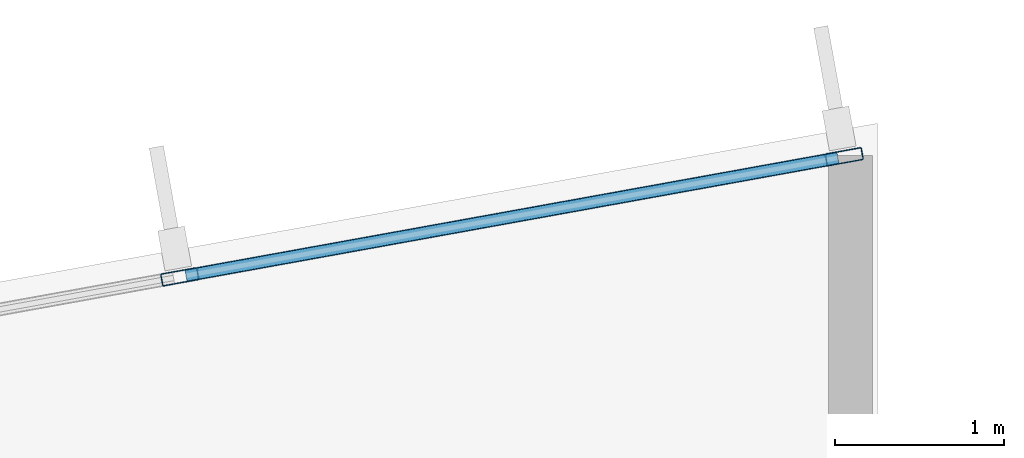
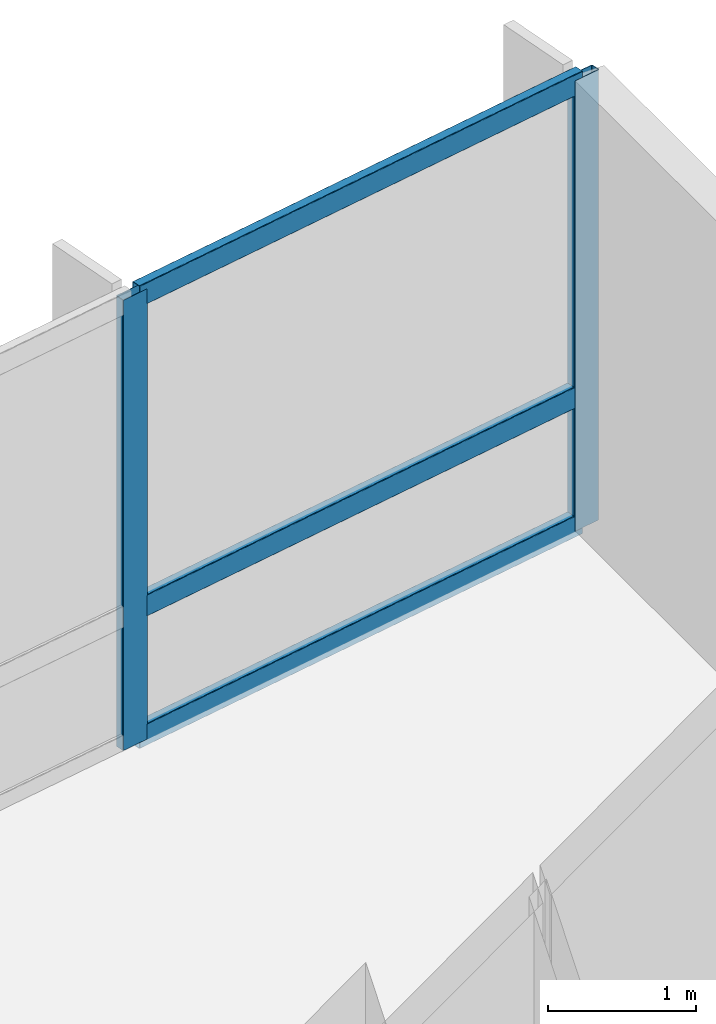
# One storey, part 10 of 20: 5 members, 1 element without a shape of its own.
"""IFC4 building model written with IfcOpenShell, lengths in metres."""

from ifc_helpers import new_model, si_unit, direction, frame, origin, origin_2d, place, context, subcontext, project, spatial, hollow_rectangle, extrude, material, layer, layer_set, material_profile, profile_set, type_object, element, aggregate, save


model = new_model("IFC4")

# Units and contexts
model_context = context("Model", 3, precision=1e-05, world=origin(), true_north=direction((0.0, 1.0)))
body_context = subcontext(model_context, "Body", "Model", "MODEL_VIEW")
ifc_project = project(units=[si_unit("LENGTHUNIT", "METRE"), si_unit("AREAUNIT", "SQUARE_METRE"), si_unit("VOLUMEUNIT", "CUBIC_METRE"), si_unit("PLANEANGLEUNIT", "RADIAN"), si_unit("MASSUNIT", "GRAM", prefix="KILO")], contexts=[model_context])

# Site, building, storey
site_placement = place(None, origin())
site = spatial("IfcSite", under=ifc_project, at=site_placement, CompositionType="ELEMENT")
building_placement = place(site_placement, origin())
building = spatial("IfcBuilding", under=site, at=building_placement, Name="Varnakote Quay Hospital", CompositionType="ELEMENT")
storey_placement = place(building_placement, frame((0.0, 0.0, 58.050048828125)))
storey = spatial("IfcBuildingStorey", under=building, at=storey_placement, Name="L14", CompositionType="ELEMENT", Elevation=58.050048828125)

# Curtain wall, members
ifc_material_1 = material(Name="Anodised aluminium 6063-T6 Bronze", Category="aluminium")
ifc_layer = layer(ifc_material_1, 0.18994140625)
ifc_layer_set = layer_set([ifc_layer], Name="Anodised aluminium 6063-T6 Bronze")
curtain_wall_type = type_object("IfcCurtainWallType", Name="CW-SYS-2", PredefinedType="NOTDEFINED", material=ifc_layer_set)
curtain_wall_placement = place(storey_placement, origin())
curtain_wall = element("IfcCurtainWall", 1, at=curtain_wall_placement, inside=storey, type_object=curtain_wall_type, Name="L14 Unitised Bronze Curtain Wall 2", PredefinedType="NOTDEFINED")
ifc_material_2 = material(Name="Anodised aluminium 6063-T6 Bronze", Category="aluminium")
ifc_material_profile_1 = material_profile(ifc_material_2, hollow_rectangle(XDim=0.074951171875, YDim=0.219970703125, WallThickness=0.00439453125, InnerFilletRadius=0.00439453125, OuterFilletRadius=0.009033203125, at=origin_2d()), Name="CW-MULL-220x75")
ifc_profile_set_1 = profile_set([ifc_material_profile_1], Name="Anodised aluminium 6063-T6 Bronze")
member_type_1 = type_object("IfcMemberType", Name="CW-MULL-220x75", PredefinedType="MULLION", material=ifc_profile_set_1)
member_1_placement = place(storey_placement, frame((55.403076171875, 34.201904296875, 0.0), z_axis=(0.0, 0.0, 1.0), x_axis=(0.177846199098, -0.984058295766, 0.0)))
member_1 = element("IfcMember", 2, at=member_1_placement, type_object=member_type_1, Name="-2-L14-2 mullion 1", PredefinedType="MULLION", context=body_context, shape_type="SweptSolid", body=[
    extrude(hollow_rectangle(XDim=0.074951171875, YDim=0.219970703125, WallThickness=0.00439453125, InnerFilletRadius=0.00439453125, OuterFilletRadius=0.009033203125, at=origin_2d()), origin(), (0.0, 0.0, 1.0), 3.7099609375),
])
member_2_placement = place(storey_placement, frame((51.477294921875, 33.492431640625, 0.0), z_axis=(0.0, 0.0, 1.0), x_axis=(0.177846199098, -0.984058295766, 0.0)))
member_2 = element("IfcMember", 3, at=member_2_placement, type_object=member_type_1, Name="-2-L14-2 mullion 2", PredefinedType="MULLION", context=body_context, shape_type="SweptSolid", body=[
    extrude(hollow_rectangle(XDim=0.074951171875, YDim=0.219970703125, WallThickness=0.00439453125, InnerFilletRadius=0.00439453125, OuterFilletRadius=0.009033203125, at=origin_2d()), origin(), (0.0, 0.0, 1.0), 3.7099609375),
])
ifc_material_3 = material(Name="Anodised aluminium 6063-T6 Bronze", Category="aluminium")
ifc_material_profile_2 = material_profile(ifc_material_3, hollow_rectangle(XDim=0.074951171875, YDim=0.179931640625, WallThickness=0.004150390625, InnerFilletRadius=0.004150390625, OuterFilletRadius=0.00830078125, at=origin_2d()), Name="CW-TRAN-180x75")
ifc_profile_set_2 = profile_set([ifc_material_profile_2], Name="Anodised aluminium 6063-T6 Bronze")
member_type_2 = type_object("IfcMemberType", Name="CW-TRAN-180x75", PredefinedType="USERDEFINED", material=ifc_profile_set_2)
member_3_placement = place(storey_placement, frame((55.3662109375, 34.195068359375, 0.037353515625), z_axis=(-0.984061948229, -0.177825988109, 0.0), x_axis=(0.177825988109, -0.984061948229, 0.0)))
member_3 = element("IfcMember", 4, at=member_3_placement, type_object=member_type_2, Name="-2-L14-2 transom 1.1", ObjectType="TRANSOM", PredefinedType="USERDEFINED", context=body_context, shape_type="SweptSolid", body=[
    extrude(hollow_rectangle(XDim=0.074951171875, YDim=0.179931640625, WallThickness=0.004150390625, InnerFilletRadius=0.004150390625, OuterFilletRadius=0.00830078125, at=origin_2d()), origin(), (0.0, 0.0, 1.0), 3.914306640625),
])
member_4_placement = place(storey_placement, frame((55.3662109375, 34.195068359375, 1.099853515625), z_axis=(-0.984061948229, -0.177825988109, 0.0), x_axis=(0.177825988109, -0.984061948229, 0.0)))
member_4 = element("IfcMember", 5, at=member_4_placement, type_object=member_type_2, Name="-2-L14-2 transom 1.2", ObjectType="TRANSOM", PredefinedType="USERDEFINED", context=body_context, shape_type="SweptSolid", body=[
    extrude(hollow_rectangle(XDim=0.074951171875, YDim=0.179931640625, WallThickness=0.004150390625, InnerFilletRadius=0.004150390625, OuterFilletRadius=0.00830078125, at=origin_2d()), origin(), (0.0, 0.0, 1.0), 3.914306640625),
])
member_5_placement = place(storey_placement, frame((55.3662109375, 34.195068359375, 3.67236328125), z_axis=(-0.984061948229, -0.177825988109, 0.0), x_axis=(0.177825988109, -0.984061948229, 0.0)))
member_5 = element("IfcMember", 6, at=member_5_placement, type_object=member_type_2, Name="-2-L14-2 transom 1.3", ObjectType="TRANSOM", PredefinedType="USERDEFINED", context=body_context, shape_type="SweptSolid", body=[
    extrude(hollow_rectangle(XDim=0.074951171875, YDim=0.179931640625, WallThickness=0.004150390625, InnerFilletRadius=0.004150390625, OuterFilletRadius=0.00830078125, at=origin_2d()), origin(), (0.0, 0.0, 1.0), 3.914306640625),
])
aggregate(curtain_wall, [member_1, member_2, member_3, member_4, member_5])

save(model, "model.ifc")
